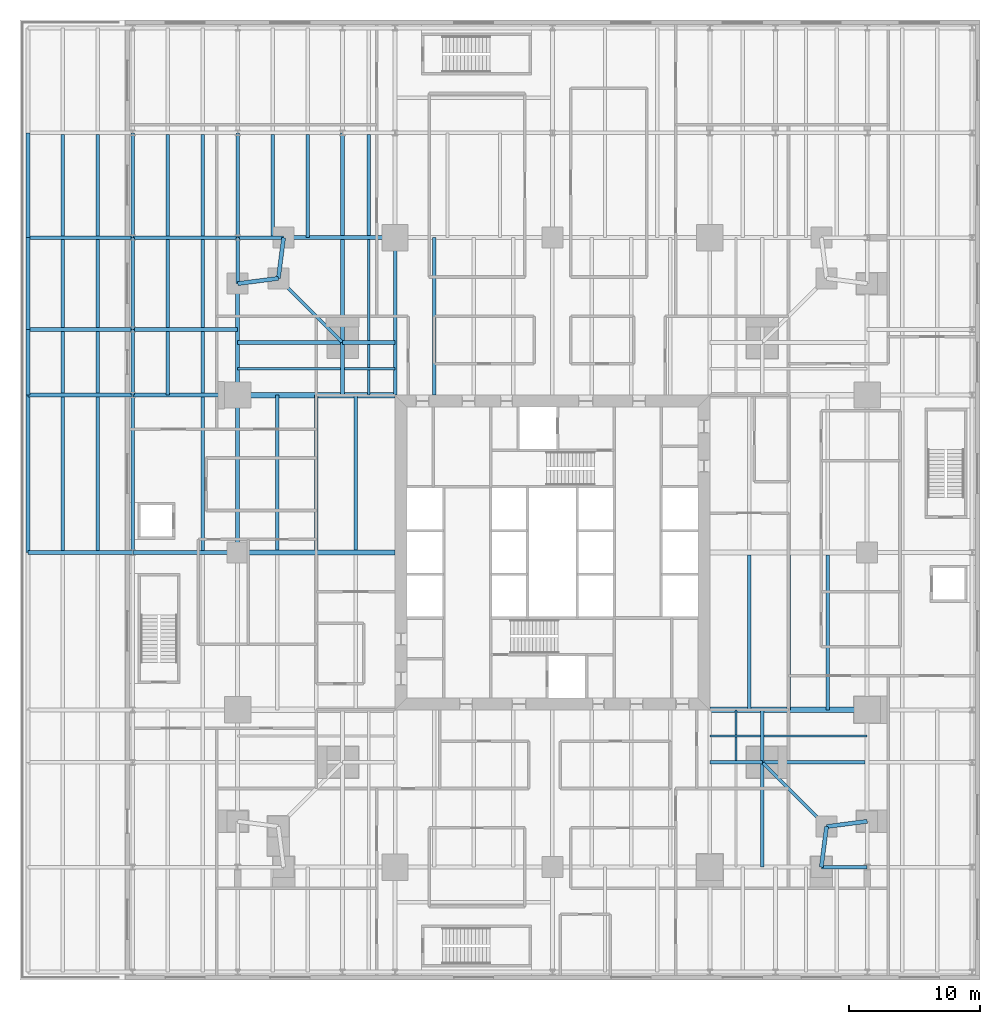
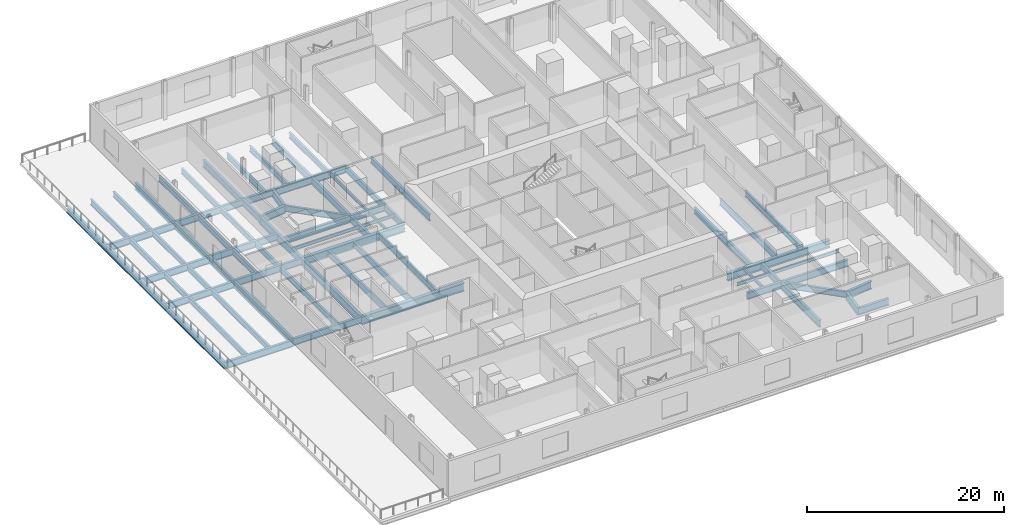
# One storey, part 5 of 17: 76 beams.
"""IFC4 building model written with IfcOpenShell, lengths in metres."""

from ifc_helpers import new_model, si_unit, direction, frame, origin, origin_2d, place, context, subcontext, project, spatial, i_section, extrude, material, material_profile, profile_set, type_object, element, save


model = new_model("IFC4")

# Units and contexts
model_context = context("Model", 3, precision=1e-05, world=origin(), true_north=direction((0.0, 1.0)))
body_context = subcontext(model_context, "Body", "Model", "MODEL_VIEW")
ifc_project = project(units=[si_unit("LENGTHUNIT", "METRE"), si_unit("AREAUNIT", "SQUARE_METRE"), si_unit("VOLUMEUNIT", "CUBIC_METRE"), si_unit("PLANEANGLEUNIT", "RADIAN"), si_unit("MASSUNIT", "GRAM", prefix="KILO")], contexts=[model_context])

# Site, building, storey
site_placement = place(None, origin())
site = spatial("IfcSite", under=ifc_project, at=site_placement, CompositionType="ELEMENT")
building_placement = place(site_placement, origin())
building = spatial("IfcBuilding", under=site, at=building_placement, Name="Fenwick Lantern Interchange", CompositionType="ELEMENT")
storey_placement = place(building_placement, frame((0.0, 0.0, 21.39990234375)))
storey = spatial("IfcBuildingStorey", under=building, at=storey_placement, Name="L04", CompositionType="ELEMENT", Elevation=21.39990234375)

# Beams
ifc_material = material(Name="Steel ASTM A992 Grade 50", Category="steel")
ifc_material_profile_1 = material_profile(ifc_material, i_section(OverallWidth=0.309814453125, OverallDepth=0.949951171875, WebThickness=0.0244140625, FlangeThickness=0.0439453125, at=origin_2d()), Name="W36X256")
ifc_profile_set_1 = profile_set([ifc_material_profile_1], Name="Steel ASTM A992 Grade 50")
beam_type_1 = type_object("IfcBeamType", Name="EDGE BEAM W36X256", PredefinedType="SPANDREL", material=ifc_profile_set_1)
for number, where, z_axis, x_axis, name in (
    (1, (45.5, 1.0, -0.6748046875), (0.127936641807, 0.991782342897, 0.0), (-0.991782342897, 0.127936641807, 0.0), "L04/FR/S/EBR1"),
    (2, (45.89990234375, 4.10009765625, -0.6748046875), (0.991782342897, 0.127936641807, 0.0), (-0.127936641807, 0.991782342897, 0.0), "L04/FR/S/EBR2"),
):
    element("IfcBeam", number, at=place(storey_placement, frame(where, z_axis=z_axis, x_axis=x_axis)), inside=storey, type_object=beam_type_1, Name=name, PredefinedType="SPANDREL", context=body_context, shape_type="SweptSolid", body=[
        extrude(i_section(OverallWidth=0.309814453125, OverallDepth=0.949951171875, WebThickness=0.0244140625, FlangeThickness=0.0439453125, at=origin_2d()), origin(), (0.0, 0.0, 1.0), 3.125732421875),
    ])
beam_1_placement = place(storey_placement, frame((13.0, 49.0, -0.6748046875), z_axis=(-1.0, 0.0, 0.0), x_axis=(0.0, -1.0, 0.0)))
element("IfcBeam", 3, at=beam_1_placement, inside=storey, type_object=beam_type_1, Name="L04/FR/N/EB4", PredefinedType="SPANDREL", context=body_context, shape_type="SweptSolid", body=[
    extrude(i_section(OverallWidth=0.309814453125, OverallDepth=0.949951171875, WebThickness=0.0244140625, FlangeThickness=0.0439453125, at=origin_2d()), origin(), (0.0, 0.0, 1.0), 8.5),
])
for number, where, z_axis, x_axis, name in (
    (4, (4.5, 49.0, -0.6748046875), (-0.127936641807, -0.991782342897, 0.0), (0.991782342897, -0.127936641807, 0.0), "L04/FR/N/EBR1"),
    (5, (4.10009765625, 45.89990234375, -0.6748046875), (-0.991782342897, -0.127936641807, 0.0), (0.127936641807, -0.991782342897, 0.0), "L04/FR/N/EBR2"),
):
    element("IfcBeam", number, at=place(storey_placement, frame(where, z_axis=z_axis, x_axis=x_axis)), inside=storey, type_object=beam_type_1, Name=name, PredefinedType="SPANDREL", context=body_context, shape_type="SweptSolid", body=[
        extrude(i_section(OverallWidth=0.309814453125, OverallDepth=0.949951171875, WebThickness=0.0244140625, FlangeThickness=0.0439453125, at=origin_2d()), origin(), (0.0, 0.0, 1.0), 3.125732421875),
    ])
beam_2_placement = place(storey_placement, frame((1.0, 45.5, -0.6748046875), z_axis=(0.0, -1.0, 0.0), x_axis=(1.0, 0.0, 0.0)))
element("IfcBeam", 6, at=beam_2_placement, inside=storey, type_object=beam_type_1, Name="L04/FR/W/EB1", PredefinedType="SPANDREL", context=body_context, shape_type="SweptSolid", body=[
    extrude(i_section(OverallWidth=0.309814453125, OverallDepth=0.949951171875, WebThickness=0.0244140625, FlangeThickness=0.0439453125, at=origin_2d()), origin(), (0.0, 0.0, 1.0), 8.5),
])
beam_3_placement = place(storey_placement, frame((1.0, 37.0, -0.6748046875), z_axis=(0.0, -1.0, 0.0), x_axis=(1.0, 0.0, 0.0)))
element("IfcBeam", 7, at=beam_3_placement, inside=storey, type_object=beam_type_1, Name="L04/FR/W/EB2", PredefinedType="SPANDREL", context=body_context, shape_type="SweptSolid", body=[
    extrude(i_section(OverallWidth=0.309814453125, OverallDepth=0.949951171875, WebThickness=0.0244140625, FlangeThickness=0.0439453125, at=origin_2d()), origin(), (0.0, 0.0, 1.0), 12.0),
])
ifc_material_profile_2 = material_profile(ifc_material, i_section(OverallWidth=0.2666015625, OverallDepth=0.7568359375, WebThickness=0.013916015625, FlangeThickness=0.019287109375, at=origin_2d()), Name="W30X108")
ifc_profile_set_2 = profile_set([ifc_material_profile_2], Name="Steel ASTM A992 Grade 50")
beam_type_2 = type_object("IfcBeamType", Name="FLOOR BEAM W30X108", PredefinedType="BEAM", material=ifc_profile_set_2)
for number, where, z_axis, x_axis, name in (
    (8, (46.0, 13.0, -0.578369140625), (0.0, 1.0, 0.0), (-1.0, 0.0, 0.0), "L04/FR/E/B01"),
    (9, (43.0, 13.0, -0.578369140625), (0.0, 1.0, 0.0), (-1.0, 0.0, 0.0), "L04/FR/E/B02"),
    (10, (40.0, 13.0, -0.578369140625), (0.0, 1.0, 0.0), (-1.0, 0.0, 0.0), "L04/FR/E/B03"),
):
    element("IfcBeam", number, at=place(storey_placement, frame(where, z_axis=z_axis, x_axis=x_axis)), inside=storey, type_object=beam_type_2, Name=name, PredefinedType="BEAM", context=body_context, shape_type="SweptSolid", body=[
        extrude(i_section(OverallWidth=0.2666015625, OverallDepth=0.7568359375, WebThickness=0.013916015625, FlangeThickness=0.019287109375, at=origin_2d()), origin(), (0.0, 0.0, 1.0), 11.79541015625),
    ])
beam_4_placement = place(storey_placement, frame((16.0, 49.0, -0.578369140625), z_axis=(0.0, -1.0, 0.0), x_axis=(1.0, 0.0, 0.0)))
element("IfcBeam", 11, at=beam_4_placement, inside=storey, type_object=beam_type_2, Name="L04/FR/N/R08", PredefinedType="BEAM", context=body_context, shape_type="SweptSolid", body=[
    extrude(i_section(OverallWidth=0.2666015625, OverallDepth=0.7568359375, WebThickness=0.013916015625, FlangeThickness=0.019287109375, at=origin_2d()), origin(), (0.0, 0.0, 1.0), 12.0),
])
for number, where, z_axis, x_axis, name in (
    (12, (4.0, 37.0, -0.578369140625), (0.0, -1.0, 0.0), (1.0, 0.0, 0.0), "L04/FR/W/B01"),
    (13, (7.0, 37.0, -0.578369140625), (0.0, -1.0, 0.0), (1.0, 0.0, 0.0), "L04/FR/W/B02"),
    (14, (10.0, 37.0, -0.578369140625), (0.0, -1.0, 0.0), (1.0, 0.0, 0.0), "L04/FR/W/B03"),
):
    element("IfcBeam", number, at=place(storey_placement, frame(where, z_axis=z_axis, x_axis=x_axis)), inside=storey, type_object=beam_type_2, Name=name, PredefinedType="BEAM", context=body_context, shape_type="SweptSolid", body=[
        extrude(i_section(OverallWidth=0.2666015625, OverallDepth=0.7568359375, WebThickness=0.013916015625, FlangeThickness=0.019287109375, at=origin_2d()), origin(), (0.0, 0.0, 1.0), 11.79541015625),
    ])
ifc_material_profile_3 = material_profile(ifc_material, i_section(OverallWidth=0.177734375, OverallDepth=0.406494140625, WebThickness=0.0078125, FlangeThickness=0.012939453125, at=origin_2d()), Name="W16X40")
ifc_profile_set_3 = profile_set([ifc_material_profile_3], Name="Steel ASTM A992 Grade 50")
beam_type_3 = type_object("IfcBeamType", Name="INFILL BEAM W16X40", PredefinedType="JOIST", material=ifc_profile_set_3)
beam_5_placement = place(storey_placement, frame((49.0, 11.0, -0.403076171875), z_axis=(-1.0, 0.0, 0.0), x_axis=(0.0, -1.0, 0.0)))
element("IfcBeam", 15, at=beam_5_placement, inside=storey, type_object=beam_type_3, Name="L04/FR/E/J1", PredefinedType="JOIST", context=body_context, shape_type="SweptSolid", body=[
    extrude(i_section(OverallWidth=0.177734375, OverallDepth=0.406494140625, WebThickness=0.0078125, FlangeThickness=0.012939453125, at=origin_2d()), origin(), (0.0, 0.0, 1.0), 7.85400390625),
])
beam_6_placement = place(storey_placement, frame((40.85400390625, 11.0, -0.403076171875), z_axis=(-1.0, 0.0, 0.0), x_axis=(0.0, -1.0, 0.0)))
element("IfcBeam", 16, at=beam_6_placement, inside=storey, type_object=beam_type_3, Name="L04/FR/E/J2", PredefinedType="JOIST", context=body_context, shape_type="SweptSolid", body=[
    extrude(i_section(OverallWidth=0.177734375, OverallDepth=0.406494140625, WebThickness=0.0078125, FlangeThickness=0.012939453125, at=origin_2d()), origin(), (0.0, 0.0, 1.0), 3.85400390625),
])
beam_7_placement = place(storey_placement, frame((39.0, 9.14599609375, -0.403076171875), z_axis=(0.0, 1.0, 0.0), x_axis=(-1.0, 0.0, 0.0)))
element("IfcBeam", 17, at=beam_7_placement, inside=storey, type_object=beam_type_3, Name="L04/FR/E/J4", PredefinedType="JOIST", context=body_context, shape_type="SweptSolid", body=[
    extrude(i_section(OverallWidth=0.177734375, OverallDepth=0.406494140625, WebThickness=0.0078125, FlangeThickness=0.012939453125, at=origin_2d()), origin(), (0.0, 0.0, 1.0), 1.76513671875),
])
beam_8_placement = place(storey_placement, frame((39.0, 11.0888671875, -0.403076171875), z_axis=(0.0, 1.0, 0.0), x_axis=(-1.0, 0.0, 0.0)))
element("IfcBeam", 18, at=beam_8_placement, inside=storey, type_object=beam_type_3, Name="L04/FR/E/J5", PredefinedType="JOIST", context=body_context, shape_type="SweptSolid", body=[
    extrude(i_section(OverallWidth=0.177734375, OverallDepth=0.406494140625, WebThickness=0.0078125, FlangeThickness=0.012939453125, at=origin_2d()), origin(), (0.0, 0.0, 1.0), 1.9111328125),
])
beam_9_placement = place(storey_placement, frame((1.0, 39.0, -0.403076171875), z_axis=(1.0, 0.0, 0.0), x_axis=(0.0, 1.0, 0.0)))
element("IfcBeam", 19, at=beam_9_placement, inside=storey, type_object=beam_type_3, Name="L04/FR/W/J1", PredefinedType="JOIST", context=body_context, shape_type="SweptSolid", body=[
    extrude(i_section(OverallWidth=0.177734375, OverallDepth=0.406494140625, WebThickness=0.0078125, FlangeThickness=0.012939453125, at=origin_2d()), origin(), (0.0, 0.0, 1.0), 7.85400390625),
])
beam_10_placement = place(storey_placement, frame((9.14599609375, 39.0, -0.403076171875), z_axis=(1.0, 0.0, 0.0), x_axis=(0.0, 1.0, 0.0)))
element("IfcBeam", 20, at=beam_10_placement, inside=storey, type_object=beam_type_3, Name="L04/FR/W/J2", PredefinedType="JOIST", context=body_context, shape_type="SweptSolid", body=[
    extrude(i_section(OverallWidth=0.177734375, OverallDepth=0.406494140625, WebThickness=0.0078125, FlangeThickness=0.012939453125, at=origin_2d()), origin(), (0.0, 0.0, 1.0), 3.85400390625),
])
beam_11_placement = place(storey_placement, frame((11.0, 48.844970703125, -0.403076171875), z_axis=(0.0, -1.0, 0.0), x_axis=(1.0, 0.0, 0.0)))
element("IfcBeam", 21, at=beam_11_placement, inside=storey, type_object=beam_type_3, Name="L04/FR/W/J3", PredefinedType="JOIST", context=body_context, shape_type="SweptSolid", body=[
    extrude(i_section(OverallWidth=0.177734375, OverallDepth=0.406494140625, WebThickness=0.0078125, FlangeThickness=0.012939453125, at=origin_2d()), origin(), (0.0, 0.0, 1.0), 7.698974609375),
])
beam_12_placement = place(storey_placement, frame((11.0, 40.85400390625, -0.403076171875), z_axis=(0.0, -1.0, 0.0), x_axis=(1.0, 0.0, 0.0)))
element("IfcBeam", 22, at=beam_12_placement, inside=storey, type_object=beam_type_3, Name="L04/FR/W/J4", PredefinedType="JOIST", context=body_context, shape_type="SweptSolid", body=[
    extrude(i_section(OverallWidth=0.177734375, OverallDepth=0.406494140625, WebThickness=0.0078125, FlangeThickness=0.012939453125, at=origin_2d()), origin(), (0.0, 0.0, 1.0), 1.76513671875),
])
beam_13_placement = place(storey_placement, frame((11.0, 38.9111328125, -0.403076171875), z_axis=(0.0, -1.0, 0.0), x_axis=(1.0, 0.0, 0.0)))
element("IfcBeam", 23, at=beam_13_placement, inside=storey, type_object=beam_type_3, Name="L04/FR/W/J5", PredefinedType="JOIST", context=body_context, shape_type="SweptSolid", body=[
    extrude(i_section(OverallWidth=0.177734375, OverallDepth=0.406494140625, WebThickness=0.0078125, FlangeThickness=0.012939453125, at=origin_2d()), origin(), (0.0, 0.0, 1.0), 1.9111328125),
])
ifc_material_profile_4 = material_profile(ifc_material, i_section(OverallWidth=0.2919921875, OverallDepth=0.845703125, WebThickness=0.015380859375, FlangeThickness=0.0244140625, at=origin_2d()), Name="W33X141")
ifc_profile_set_4 = profile_set([ifc_material_profile_4], Name="Steel ASTM A992 Grade 50")
beam_type_4 = type_object("IfcBeamType", Name="MEGA COLUMN BEAM W33X141", PredefinedType="BEAM", material=ifc_profile_set_4)
beam_14_placement = place(storey_placement, frame((41.0, 9.0, -0.622802734375), z_axis=(1.0, 0.0, 0.0), x_axis=(0.0, 1.0, 0.0)))
element("IfcBeam", 24, at=beam_14_placement, inside=storey, type_object=beam_type_4, Name="L04/FR/E/MB1", PredefinedType="BEAM", context=body_context, shape_type="SweptSolid", body=[
    extrude(i_section(OverallWidth=0.2919921875, OverallDepth=0.845703125, WebThickness=0.015380859375, FlangeThickness=0.0244140625, at=origin_2d()), origin(), (0.0, 0.0, 1.0), 7.844970703125),
])
beam_15_placement = place(storey_placement, frame((41.0, 9.0, -0.622802734375), z_axis=(0.0, -1.0, 0.0), x_axis=(1.0, 0.0, 0.0)))
element("IfcBeam", 25, at=beam_15_placement, inside=storey, type_object=beam_type_4, Name="L04/FR/E/MB2", PredefinedType="BEAM", context=body_context, shape_type="SweptSolid", body=[
    extrude(i_section(OverallWidth=0.2919921875, OverallDepth=0.845703125, WebThickness=0.015380859375, FlangeThickness=0.0244140625, at=origin_2d()), origin(), (0.0, 0.0, 1.0), 8.0),
])
for number, where, z_axis, x_axis, name in (
    (26, (41.0, 9.0, -0.622802734375), (0.0, 1.0, 0.0), (-1.0, 0.0, 0.0), "L04/FR/E/MB3"),
    (27, (41.0, 9.0, -0.622802734375), (-1.0, 0.0, 0.0), (0.0, -1.0, 0.0), "L04/FR/E/MB4"),
):
    element("IfcBeam", number, at=place(storey_placement, frame(where, z_axis=z_axis, x_axis=x_axis)), inside=storey, type_object=beam_type_4, Name=name, PredefinedType="BEAM", context=body_context, shape_type="SweptSolid", body=[
        extrude(i_section(OverallWidth=0.2919921875, OverallDepth=0.845703125, WebThickness=0.015380859375, FlangeThickness=0.0244140625, at=origin_2d()), origin(), (0.0, 0.0, 1.0), 4.0),
    ])
beam_16_placement = place(storey_placement, frame((9.0, 41.0, -0.622802734375), z_axis=(-1.0, 0.0, 0.0), x_axis=(0.0, -1.0, 0.0)))
element("IfcBeam", 28, at=beam_16_placement, inside=storey, type_object=beam_type_4, Name="L04/FR/W/MB1", PredefinedType="BEAM", context=body_context, shape_type="SweptSolid", body=[
    extrude(i_section(OverallWidth=0.2919921875, OverallDepth=0.845703125, WebThickness=0.015380859375, FlangeThickness=0.0244140625, at=origin_2d()), origin(), (0.0, 0.0, 1.0), 8.0),
])
beam_17_placement = place(storey_placement, frame((9.0, 41.0, -0.622802734375), z_axis=(0.0, 1.0, 0.0), x_axis=(-1.0, 0.0, 0.0)))
element("IfcBeam", 29, at=beam_17_placement, inside=storey, type_object=beam_type_4, Name="L04/FR/W/MB2", PredefinedType="BEAM", context=body_context, shape_type="SweptSolid", body=[
    extrude(i_section(OverallWidth=0.2919921875, OverallDepth=0.845703125, WebThickness=0.015380859375, FlangeThickness=0.0244140625, at=origin_2d()), origin(), (0.0, 0.0, 1.0), 7.844970703125),
])
for number, where, z_axis, x_axis, name in (
    (30, (9.0, 41.0, -0.622802734375), (0.0, -1.0, 0.0), (1.0, 0.0, 0.0), "L04/FR/W/MB3"),
    (31, (9.0, 41.0, -0.622802734375), (1.0, 0.0, 0.0), (0.0, 1.0, 0.0), "L04/FR/W/MB4"),
):
    element("IfcBeam", number, at=place(storey_placement, frame(where, z_axis=z_axis, x_axis=x_axis)), inside=storey, type_object=beam_type_4, Name=name, PredefinedType="BEAM", context=body_context, shape_type="SweptSolid", body=[
        extrude(i_section(OverallWidth=0.2919921875, OverallDepth=0.845703125, WebThickness=0.015380859375, FlangeThickness=0.0244140625, at=origin_2d()), origin(), (0.0, 0.0, 1.0), 4.0),
    ])
ifc_material_profile_5 = material_profile(ifc_material, i_section(OverallWidth=0.2666015625, OverallDepth=0.76953125, WebThickness=0.015625, FlangeThickness=0.025390625, at=origin_2d()), Name="W30X132")
ifc_profile_set_5 = profile_set([ifc_material_profile_5], Name="Steel ASTM A992 Grade 50")
beam_type_5 = type_object("IfcBeamType", Name="MOMENT-CONNECTED GIRDER W30X132", PredefinedType="BEAM", material=ifc_profile_set_5)
beam_18_placement = place(storey_placement, frame((13.0, 49.0, -0.584716796875), z_axis=(0.0, -1.0, 0.0), x_axis=(1.0, 0.0, 0.0)))
element("IfcBeam", 32, at=beam_18_placement, inside=storey, type_object=beam_type_5, Name="L04/FR/N/R09", PredefinedType="BEAM", context=body_context, shape_type="SweptSolid", body=[
    extrude(i_section(OverallWidth=0.2666015625, OverallDepth=0.76953125, WebThickness=0.015625, FlangeThickness=0.025390625, at=origin_2d()), origin(), (0.0, 0.0, 1.0), 12.0),
])
ifc_material_profile_6 = material_profile(ifc_material, i_section(OverallWidth=0.424072265625, OverallDepth=0.947509765625, WebThickness=0.02392578125, FlangeThickness=0.042724609375, at=origin_2d()), Name="W36X302")
ifc_profile_set_6 = profile_set([ifc_material_profile_6], Name="Steel ASTM A992 Grade 50")
beam_type_6 = type_object("IfcBeamType", Name="MOMENT-CONNECTED GIRDER W36X302", PredefinedType="BEAM", material=ifc_profile_set_6)
for number, where, z_axis, x_axis, name in (
    (33, (49.0, 13.0, -0.673583984375), (-1.0, 0.0, 0.0), (0.0, -1.0, 0.0), "L04/FR/E/R01"),
    (34, (1.0, 37.0, -0.673583984375), (1.0, 0.0, 0.0), (0.0, 1.0, 0.0), "L04/FR/W/R01"),
):
    element("IfcBeam", number, at=place(storey_placement, frame(where, z_axis=z_axis, x_axis=x_axis)), inside=storey, type_object=beam_type_6, Name=name, PredefinedType="BEAM", context=body_context, shape_type="SweptSolid", body=[
        extrude(i_section(OverallWidth=0.424072265625, OverallDepth=0.947509765625, WebThickness=0.02392578125, FlangeThickness=0.042724609375, at=origin_2d()), origin(), (0.0, 0.0, 1.0), 12.0),
    ])
ifc_material_profile_7 = material_profile(ifc_material, i_section(OverallWidth=0.408935546875, OverallDepth=1.04150390625, WebThickness=0.031005859375, FlangeThickness=0.055908203125, at=origin_2d()), Name="W40X397")
ifc_profile_set_7 = profile_set([ifc_material_profile_7], Name="Steel ASTM A992 Grade 50")
beam_type_7 = type_object("IfcBeamType", Name="MOMENT-CONNECTED GIRDER W40X397", PredefinedType="BEAM", material=ifc_profile_set_7)
beam_19_placement = place(storey_placement, frame((1.0, 25.0, -0.720703125), z_axis=(1.0, 0.0, 0.0), x_axis=(0.0, 1.0, 0.0)))
element("IfcBeam", 35, at=beam_19_placement, inside=storey, type_object=beam_type_7, Name="L04/FR/W/R02", PredefinedType="BEAM", context=body_context, shape_type="SweptSolid", body=[
    extrude(i_section(OverallWidth=0.408935546875, OverallDepth=1.04150390625, WebThickness=0.031005859375, FlangeThickness=0.055908203125, at=origin_2d()), origin(), (0.0, 0.0, 1.0), 12.0),
])
ifc_material_profile_8 = material_profile(ifc_material, i_section(OverallWidth=0.2919921875, OverallDepth=0.845703125, WebThickness=0.015380859375, FlangeThickness=0.0244140625, at=origin_2d()), Name="W33X141")
ifc_profile_set_8 = profile_set([ifc_material_profile_8], Name="Steel ASTM A992 Grade 50")
beam_type_8 = type_object("IfcBeamType", Name="MOMENT-CONNECTED PODIUM GIRDER W33X141", PredefinedType="BEAM", material=ifc_profile_set_8)
beam_20_placement = place(storey_placement, frame((45.5, 1.0, -0.622802734375), z_axis=(1.0, 0.0, 0.0), x_axis=(0.0, 1.0, 0.0)))
element("IfcBeam", 36, at=beam_20_placement, inside=storey, type_object=beam_type_8, Name="L04/PF/G013", PredefinedType="BEAM", context=body_context, shape_type="SweptSolid", body=[
    extrude(i_section(OverallWidth=0.2919921875, OverallDepth=0.845703125, WebThickness=0.015380859375, FlangeThickness=0.0244140625, at=origin_2d()), origin(), (0.0, 0.0, 1.0), 3.5),
])
for number, where, z_axis, x_axis, name in (
    (37, (-15.0, 25.0, -0.722900390625), (1.0, 0.0, 0.0), (0.0, 1.0, 0.0), "L04/PF/G021"),
    (38, (-7.0, 25.0, -0.622802734375), (1.0, 0.0, 0.0), (0.0, 1.0, 0.0), "L04/PF/G022"),
    (39, (-15.0, 37.0, -0.722900390625), (1.0, 0.0, 0.0), (0.0, 1.0, 0.0), "L04/PF/G024"),
    (40, (-7.0, 37.0, -0.622802734375), (1.0, 0.0, 0.0), (0.0, 1.0, 0.0), "L04/PF/G025"),
    (41, (-15.0, 42.0, -0.722900390625), (1.0, 0.0, 0.0), (0.0, 1.0, 0.0), "L04/PF/G027"),
    (42, (-7.0, 42.0, -0.622802734375), (1.0, 0.0, 0.0), (0.0, 1.0, 0.0), "L04/PF/G028"),
    (43, (-15.0, 49.0, -0.722900390625), (1.0, 0.0, 0.0), (0.0, 1.0, 0.0), "L04/PF/G030"),
    (44, (-7.0, 49.0, -0.622802734375), (1.0, 0.0, 0.0), (0.0, 1.0, 0.0), "L04/PF/G031"),
):
    element("IfcBeam", number, at=place(storey_placement, frame(where, z_axis=z_axis, x_axis=x_axis)), inside=storey, type_object=beam_type_8, Name=name, PredefinedType="BEAM", context=body_context, shape_type="SweptSolid", body=[
        extrude(i_section(OverallWidth=0.2919921875, OverallDepth=0.845703125, WebThickness=0.015380859375, FlangeThickness=0.0244140625, at=origin_2d()), origin(), (0.0, 0.0, 1.0), 8.0),
    ])
beam_21_placement = place(storey_placement, frame((1.0, 49.0, -0.622802734375), z_axis=(1.0, 0.0, 0.0), x_axis=(0.0, 1.0, 0.0)))
element("IfcBeam", 45, at=beam_21_placement, inside=storey, type_object=beam_type_8, Name="L04/PF/G032", PredefinedType="BEAM", context=body_context, shape_type="SweptSolid", body=[
    extrude(i_section(OverallWidth=0.2919921875, OverallDepth=0.845703125, WebThickness=0.015380859375, FlangeThickness=0.0244140625, at=origin_2d()), origin(), (0.0, 0.0, 1.0), 3.5),
])
beam_22_placement = place(storey_placement, frame((-15.0, 25.0, -0.722900390625), z_axis=(0.0, 1.0, 0.0), x_axis=(-1.0, 0.0, 0.0)))
element("IfcBeam", 46, at=beam_22_placement, inside=storey, type_object=beam_type_8, Name="L04/PF/G057", PredefinedType="BEAM", context=body_context, shape_type="SweptSolid", body=[
    extrude(i_section(OverallWidth=0.2919921875, OverallDepth=0.845703125, WebThickness=0.015380859375, FlangeThickness=0.0244140625, at=origin_2d()), origin(), (0.0, 0.0, 1.0), 12.0),
])
beam_23_placement = place(storey_placement, frame((-15.0, 37.0, -0.722900390625), z_axis=(0.0, 1.0, 0.0), x_axis=(-1.0, 0.0, 0.0)))
element("IfcBeam", 47, at=beam_23_placement, inside=storey, type_object=beam_type_8, Name="L04/PF/G058", PredefinedType="BEAM", context=body_context, shape_type="SweptSolid", body=[
    extrude(i_section(OverallWidth=0.2919921875, OverallDepth=0.845703125, WebThickness=0.015380859375, FlangeThickness=0.0244140625, at=origin_2d()), origin(), (0.0, 0.0, 1.0), 5.0),
])
beam_24_placement = place(storey_placement, frame((-15.0, 42.0, -0.722900390625), z_axis=(0.0, 1.0, 0.0), x_axis=(-1.0, 0.0, 0.0)))
element("IfcBeam", 48, at=beam_24_placement, inside=storey, type_object=beam_type_8, Name="L04/PF/G059", PredefinedType="BEAM", context=body_context, shape_type="SweptSolid", body=[
    extrude(i_section(OverallWidth=0.2919921875, OverallDepth=0.845703125, WebThickness=0.015380859375, FlangeThickness=0.0244140625, at=origin_2d()), origin(), (0.0, 0.0, 1.0), 7.0),
])
beam_25_placement = place(storey_placement, frame((-15.0, 49.0, -0.722900390625), z_axis=(0.0, 1.0, 0.0), x_axis=(-1.0, 0.0, 0.0)))
element("IfcBeam", 49, at=beam_25_placement, inside=storey, type_object=beam_type_8, Name="L04/PF/G060", PredefinedType="BEAM", context=body_context, shape_type="SweptSolid", body=[
    extrude(i_section(OverallWidth=0.2919921875, OverallDepth=0.845703125, WebThickness=0.015380859375, FlangeThickness=0.0244140625, at=origin_2d()), origin(), (0.0, 0.0, 1.0), 8.0),
])
beam_26_placement = place(storey_placement, frame((-7.0, 25.0, -0.622802734375), z_axis=(0.0, 1.0, 0.0), x_axis=(-1.0, 0.0, 0.0)))
element("IfcBeam", 50, at=beam_26_placement, inside=storey, type_object=beam_type_8, Name="L04/PF/G066", PredefinedType="BEAM", context=body_context, shape_type="SweptSolid", body=[
    extrude(i_section(OverallWidth=0.2919921875, OverallDepth=0.845703125, WebThickness=0.015380859375, FlangeThickness=0.0244140625, at=origin_2d()), origin(), (0.0, 0.0, 1.0), 12.0),
])
beam_27_placement = place(storey_placement, frame((-7.0, 37.0, -0.622802734375), z_axis=(0.0, 1.0, 0.0), x_axis=(-1.0, 0.0, 0.0)))
element("IfcBeam", 51, at=beam_27_placement, inside=storey, type_object=beam_type_8, Name="L04/PF/G067", PredefinedType="BEAM", context=body_context, shape_type="SweptSolid", body=[
    extrude(i_section(OverallWidth=0.2919921875, OverallDepth=0.845703125, WebThickness=0.015380859375, FlangeThickness=0.0244140625, at=origin_2d()), origin(), (0.0, 0.0, 1.0), 5.0),
])
beam_28_placement = place(storey_placement, frame((-7.0, 42.0, -0.622802734375), z_axis=(0.0, 1.0, 0.0), x_axis=(-1.0, 0.0, 0.0)))
element("IfcBeam", 52, at=beam_28_placement, inside=storey, type_object=beam_type_8, Name="L04/PF/G068", PredefinedType="BEAM", context=body_context, shape_type="SweptSolid", body=[
    extrude(i_section(OverallWidth=0.2919921875, OverallDepth=0.845703125, WebThickness=0.015380859375, FlangeThickness=0.0244140625, at=origin_2d()), origin(), (0.0, 0.0, 1.0), 7.0),
])
beam_29_placement = place(storey_placement, frame((-7.0, 49.0, -0.622802734375), z_axis=(0.0, 1.0, 0.0), x_axis=(-1.0, 0.0, 0.0)))
element("IfcBeam", 53, at=beam_29_placement, inside=storey, type_object=beam_type_8, Name="L04/PF/G069", PredefinedType="BEAM", context=body_context, shape_type="SweptSolid", body=[
    extrude(i_section(OverallWidth=0.2919921875, OverallDepth=0.845703125, WebThickness=0.015380859375, FlangeThickness=0.0244140625, at=origin_2d()), origin(), (0.0, 0.0, 1.0), 8.0),
])
beam_30_placement = place(storey_placement, frame((1.0, 45.5, -0.622802734375), z_axis=(0.0, 1.0, 0.0), x_axis=(-1.0, 0.0, 0.0)))
element("IfcBeam", 54, at=beam_30_placement, inside=storey, type_object=beam_type_8, Name="L04/PF/G073", PredefinedType="BEAM", context=body_context, shape_type="SweptSolid", body=[
    extrude(i_section(OverallWidth=0.2919921875, OverallDepth=0.845703125, WebThickness=0.015380859375, FlangeThickness=0.0244140625, at=origin_2d()), origin(), (0.0, 0.0, 1.0), 3.5),
])
beam_31_placement = place(storey_placement, frame((1.0, 49.0, -0.622802734375), z_axis=(0.0, 1.0, 0.0), x_axis=(-1.0, 0.0, 0.0)))
element("IfcBeam", 55, at=beam_31_placement, inside=storey, type_object=beam_type_8, Name="L04/PF/G074", PredefinedType="BEAM", context=body_context, shape_type="SweptSolid", body=[
    extrude(i_section(OverallWidth=0.2919921875, OverallDepth=0.845703125, WebThickness=0.015380859375, FlangeThickness=0.0244140625, at=origin_2d()), origin(), (0.0, 0.0, 1.0), 8.0),
])
beam_32_placement = place(storey_placement, frame((9.0, 49.155029296875, -0.622802734375), z_axis=(0.0, 1.0, 0.0), x_axis=(-1.0, 0.0, 0.0)))
element("IfcBeam", 56, at=beam_32_placement, inside=storey, type_object=beam_type_8, Name="L04/PF/G077", PredefinedType="BEAM", context=body_context, shape_type="SweptSolid", body=[
    extrude(i_section(OverallWidth=0.2919921875, OverallDepth=0.845703125, WebThickness=0.015380859375, FlangeThickness=0.0244140625, at=origin_2d()), origin(), (0.0, 0.0, 1.0), 7.844970703125),
])
ifc_material_profile_9 = material_profile(ifc_material, i_section(OverallWidth=0.2666015625, OverallDepth=0.7568359375, WebThickness=0.013916015625, FlangeThickness=0.019287109375, at=origin_2d()), Name="W30X108")
ifc_profile_set_9 = profile_set([ifc_material_profile_9], Name="Steel ASTM A992 Grade 50")
beam_type_9 = type_object("IfcBeamType", Name="NOTCH BEAM W30X108", PredefinedType="BEAM", material=ifc_profile_set_9)
for number, where, z_axis, x_axis, name in (
    (57, (41.0, 9.0, -0.578369140625), (0.707106781187, -0.707106781187, 0.0), (0.707106781187, 0.707106781187, 0.0), "L04/FR/E/TG"),
    (58, (9.0, 41.0, -0.578369140625), (-0.707106781187, 0.707106781187, 0.0), (-0.707106781187, -0.707106781187, 0.0), "L04/FR/W/TG"),
):
    element("IfcBeam", number, at=place(storey_placement, frame(where, z_axis=z_axis, x_axis=x_axis)), inside=storey, type_object=beam_type_9, Name=name, PredefinedType="BEAM", context=body_context, shape_type="SweptSolid", body=[
        extrude(i_section(OverallWidth=0.2666015625, OverallDepth=0.7568359375, WebThickness=0.013916015625, FlangeThickness=0.019287109375, at=origin_2d()), origin(), (0.0, 0.0, 1.0), 6.929443359375),
    ])
ifc_material_profile_10 = material_profile(ifc_material, i_section(OverallWidth=0.25390625, OverallDepth=0.683349609375, WebThickness=0.012451171875, FlangeThickness=0.01904296875, at=origin_2d()), Name="W27X94")
ifc_profile_set_10 = profile_set([ifc_material_profile_10], Name="Steel ASTM A992 Grade 50")
beam_type_10 = type_object("IfcBeamType", Name="PODIUM BEAM W27X94", PredefinedType="JOIST", material=ifc_profile_set_10)
for number, where, z_axis, x_axis, name in (
    (59, (-12.333251953125, 25.14599609375, -0.6416015625), (0.0, 1.0, 0.0), (-1.0, 0.0, 0.0), "L04/PF/J113"),
    (60, (-9.666748046875, 25.14599609375, -0.6416015625), (0.0, 1.0, 0.0), (-1.0, 0.0, 0.0), "L04/PF/J114"),
):
    element("IfcBeam", number, at=place(storey_placement, frame(where, z_axis=z_axis, x_axis=x_axis)), inside=storey, type_object=beam_type_10, Name=name, PredefinedType="JOIST", context=body_context, shape_type="SweptSolid", body=[
        extrude(i_section(OverallWidth=0.25390625, OverallDepth=0.683349609375, WebThickness=0.012451171875, FlangeThickness=0.01904296875, at=origin_2d()), origin(), (0.0, 0.0, 1.0), 11.7080078125),
    ])
for number, where, z_axis, x_axis, name in (
    (61, (-12.333251953125, 37.14599609375, -0.6416015625), (0.0, 1.0, 0.0), (-1.0, 0.0, 0.0), "L04/PF/J115"),
    (62, (-9.666748046875, 37.14599609375, -0.6416015625), (0.0, 1.0, 0.0), (-1.0, 0.0, 0.0), "L04/PF/J116"),
):
    element("IfcBeam", number, at=place(storey_placement, frame(where, z_axis=z_axis, x_axis=x_axis)), inside=storey, type_object=beam_type_10, Name=name, PredefinedType="JOIST", context=body_context, shape_type="SweptSolid", body=[
        extrude(i_section(OverallWidth=0.25390625, OverallDepth=0.683349609375, WebThickness=0.012451171875, FlangeThickness=0.01904296875, at=origin_2d()), origin(), (0.0, 0.0, 1.0), 4.7080078125),
    ])
for number, where, z_axis, x_axis, name in (
    (63, (-12.333251953125, 42.14599609375, -0.6416015625), (0.0, 1.0, 0.0), (-1.0, 0.0, 0.0), "L04/PF/J117"),
    (64, (-9.666748046875, 42.14599609375, -0.6416015625), (0.0, 1.0, 0.0), (-1.0, 0.0, 0.0), "L04/PF/J118"),
):
    element("IfcBeam", number, at=place(storey_placement, frame(where, z_axis=z_axis, x_axis=x_axis)), inside=storey, type_object=beam_type_10, Name=name, PredefinedType="JOIST", context=body_context, shape_type="SweptSolid", body=[
        extrude(i_section(OverallWidth=0.25390625, OverallDepth=0.683349609375, WebThickness=0.012451171875, FlangeThickness=0.01904296875, at=origin_2d()), origin(), (0.0, 0.0, 1.0), 6.7080078125),
    ])
for number, where, z_axis, x_axis, name in (
    (65, (-12.333251953125, 49.14599609375, -0.6416015625), (0.0, 1.0, 0.0), (-1.0, 0.0, 0.0), "L04/PF/J119"),
    (66, (-9.666748046875, 49.14599609375, -0.6416015625), (0.0, 1.0, 0.0), (-1.0, 0.0, 0.0), "L04/PF/J120"),
):
    element("IfcBeam", number, at=place(storey_placement, frame(where, z_axis=z_axis, x_axis=x_axis)), inside=storey, type_object=beam_type_10, Name=name, PredefinedType="JOIST", context=body_context, shape_type="SweptSolid", body=[
        extrude(i_section(OverallWidth=0.25390625, OverallDepth=0.683349609375, WebThickness=0.012451171875, FlangeThickness=0.01904296875, at=origin_2d()), origin(), (0.0, 0.0, 1.0), 7.7080078125),
    ])
beam_33_placement = place(storey_placement, frame((-1.666748046875, 25.14599609375, -0.54150390625), z_axis=(0.0, 1.0, 0.0), x_axis=(-1.0, 0.0, 0.0)))
element("IfcBeam", 67, at=beam_33_placement, inside=storey, type_object=beam_type_10, Name="L04/PF/J130", PredefinedType="JOIST", context=body_context, shape_type="SweptSolid", body=[
    extrude(i_section(OverallWidth=0.25390625, OverallDepth=0.683349609375, WebThickness=0.012451171875, FlangeThickness=0.01904296875, at=origin_2d()), origin(), (0.0, 0.0, 1.0), 11.7080078125),
])
beam_34_placement = place(storey_placement, frame((-4.333251953125, 37.0, -0.54150390625), z_axis=(0.0, 1.0, 0.0), x_axis=(-1.0, 0.0, 0.0)))
element("IfcBeam", 68, at=beam_34_placement, inside=storey, type_object=beam_type_10, Name="L04/PF/J131", PredefinedType="JOIST", context=body_context, shape_type="SweptSolid", body=[
    extrude(i_section(OverallWidth=0.25390625, OverallDepth=0.683349609375, WebThickness=0.012451171875, FlangeThickness=0.01904296875, at=origin_2d()), origin(), (0.0, 0.0, 1.0), 4.85400390625),
])
beam_35_placement = place(storey_placement, frame((-1.666748046875, 37.14599609375, -0.54150390625), z_axis=(0.0, 1.0, 0.0), x_axis=(-1.0, 0.0, 0.0)))
element("IfcBeam", 69, at=beam_35_placement, inside=storey, type_object=beam_type_10, Name="L04/PF/J132", PredefinedType="JOIST", context=body_context, shape_type="SweptSolid", body=[
    extrude(i_section(OverallWidth=0.25390625, OverallDepth=0.683349609375, WebThickness=0.012451171875, FlangeThickness=0.01904296875, at=origin_2d()), origin(), (0.0, 0.0, 1.0), 4.7080078125),
])
for number, where, z_axis, x_axis, name in (
    (70, (-4.333251953125, 42.14599609375, -0.54150390625), (0.0, 1.0, 0.0), (-1.0, 0.0, 0.0), "L04/PF/J133"),
    (71, (-1.666748046875, 42.14599609375, -0.54150390625), (0.0, 1.0, 0.0), (-1.0, 0.0, 0.0), "L04/PF/J134"),
):
    element("IfcBeam", number, at=place(storey_placement, frame(where, z_axis=z_axis, x_axis=x_axis)), inside=storey, type_object=beam_type_10, Name=name, PredefinedType="JOIST", context=body_context, shape_type="SweptSolid", body=[
        extrude(i_section(OverallWidth=0.25390625, OverallDepth=0.683349609375, WebThickness=0.012451171875, FlangeThickness=0.01904296875, at=origin_2d()), origin(), (0.0, 0.0, 1.0), 6.7080078125),
    ])
for number, where, z_axis, x_axis, name in (
    (72, (-4.333251953125, 49.14599609375, -0.54150390625), (0.0, 1.0, 0.0), (-1.0, 0.0, 0.0), "L04/PF/J135"),
    (73, (-1.666748046875, 49.14599609375, -0.54150390625), (0.0, 1.0, 0.0), (-1.0, 0.0, 0.0), "L04/PF/J136"),
):
    element("IfcBeam", number, at=place(storey_placement, frame(where, z_axis=z_axis, x_axis=x_axis)), inside=storey, type_object=beam_type_10, Name=name, PredefinedType="JOIST", context=body_context, shape_type="SweptSolid", body=[
        extrude(i_section(OverallWidth=0.25390625, OverallDepth=0.683349609375, WebThickness=0.012451171875, FlangeThickness=0.01904296875, at=origin_2d()), origin(), (0.0, 0.0, 1.0), 7.7080078125),
    ])
for number, where, z_axis, x_axis, name in (
    (74, (3.666748046875, 49.0, -0.54150390625), (0.0, 1.0, 0.0), (-1.0, 0.0, 0.0), "L04/PF/J141"),
    (75, (6.333251953125, 49.0, -0.54150390625), (0.0, 1.0, 0.0), (-1.0, 0.0, 0.0), "L04/PF/J142"),
):
    element("IfcBeam", number, at=place(storey_placement, frame(where, z_axis=z_axis, x_axis=x_axis)), inside=storey, type_object=beam_type_10, Name=name, PredefinedType="JOIST", context=body_context, shape_type="SweptSolid", body=[
        extrude(i_section(OverallWidth=0.25390625, OverallDepth=0.683349609375, WebThickness=0.012451171875, FlangeThickness=0.01904296875, at=origin_2d()), origin(), (0.0, 0.0, 1.0), 7.85400390625),
    ])
beam_36_placement = place(storey_placement, frame((11.0, 49.155029296875, -0.54150390625), z_axis=(0.0, 1.0, 0.0), x_axis=(-1.0, 0.0, 0.0)))
element("IfcBeam", 76, at=beam_36_placement, inside=storey, type_object=beam_type_10, Name="L04/PF/J146", PredefinedType="JOIST", context=body_context, shape_type="SweptSolid", body=[
    extrude(i_section(OverallWidth=0.25390625, OverallDepth=0.683349609375, WebThickness=0.012451171875, FlangeThickness=0.01904296875, at=origin_2d()), origin(), (0.0, 0.0, 1.0), 7.698974609375),
])

save(model, "model.ifc")
